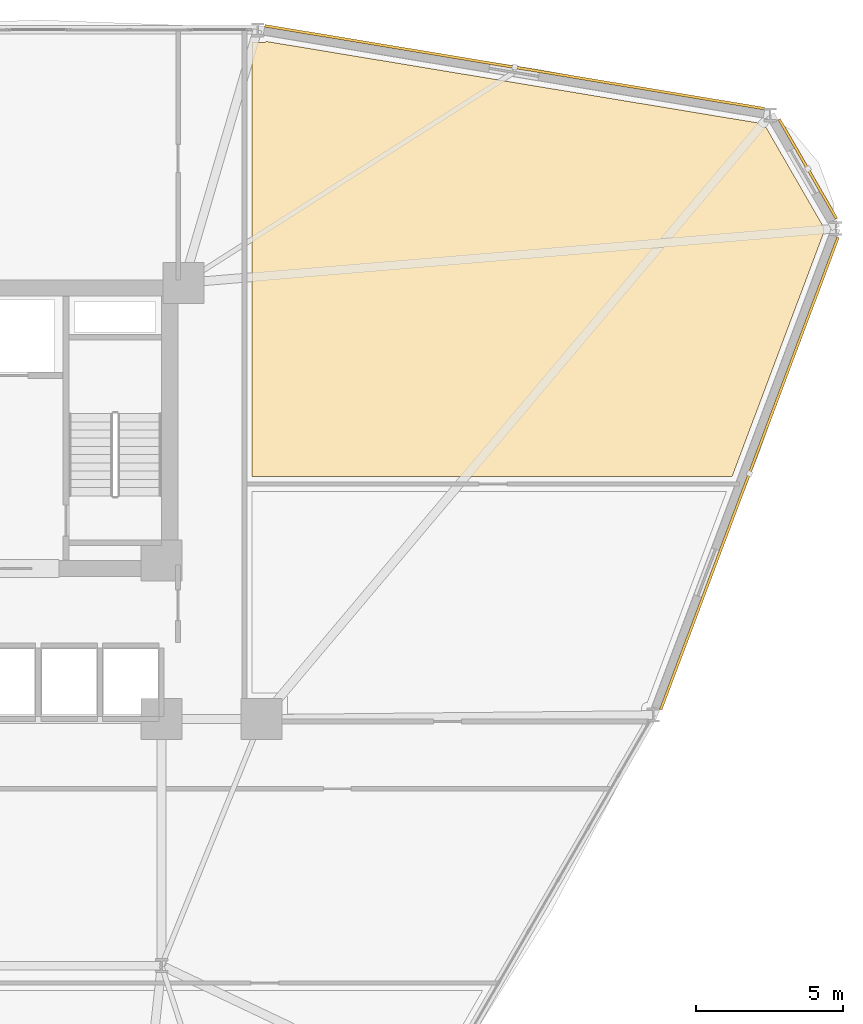
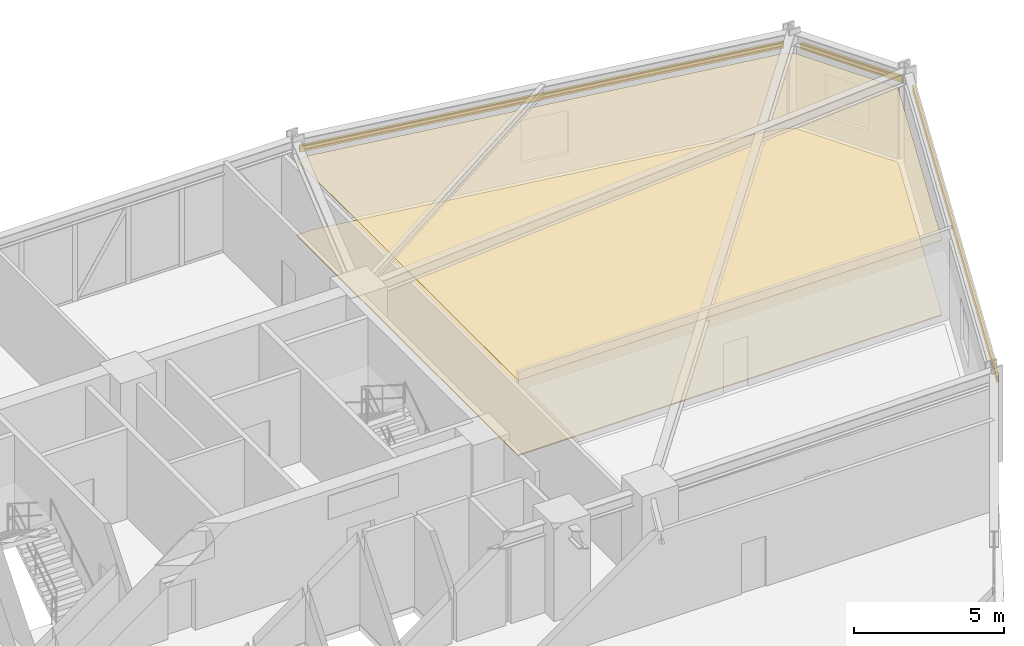
# One storey, part 20 of 20: 3 shading devices, 2 coverings.
"""IFC4 building model written with IfcOpenShell, lengths in metres."""

from ifc_helpers import new_model, si_unit, derived_unit, direction, frame, origin, origin_2d, place, context, subcontext, project, spatial, polyline, hollow_rectangle, outline, extrude, source, transform, mapped, material, layer, layer_set, material_profile, profile_set, type_object, element, save


model = new_model("IFC4")

# Units and contexts
model_context = context("Model", 3, precision=1e-05, world=origin(), true_north=direction((0.0, 1.0)))
body_context = subcontext(model_context, "Body", "Model", "MODEL_VIEW")
ifc_project = project(units=[si_unit("LENGTHUNIT", "METRE"), si_unit("AREAUNIT", "SQUARE_METRE"), si_unit("VOLUMEUNIT", "CUBIC_METRE"), si_unit("PLANEANGLEUNIT", "RADIAN"), si_unit("MASSUNIT", "GRAM", prefix="KILO"), derived_unit("THERMALTRANSMITTANCEUNIT", [(si_unit("POWERUNIT", "WATT"), 1), (si_unit("LENGTHUNIT", "METRE"), -2), (si_unit("THERMODYNAMICTEMPERATUREUNIT", "KELVIN"), -1)])], contexts=[model_context])

# Site, building, storey
site_placement = place(None, origin())
site = spatial("IfcSite", under=ifc_project, at=site_placement, CompositionType="ELEMENT")
building_placement = place(site_placement, origin())
building = spatial("IfcBuilding", under=site, at=building_placement, Name="Korsvarv Bourse and Concert Hall", CompositionType="ELEMENT")
storey_placement = place(building_placement, frame((0.0, 0.0, 75.60009765625)))
storey = spatial("IfcBuildingStorey", under=building, at=storey_placement, Name="L18", CompositionType="ELEMENT", Elevation=75.60009765625)

# Coverings
ifc_material_1 = material(Name="Perforated mineral-wool and birch acoustic baffle ceiling", Category="wood")
ifc_layer_1 = layer(ifc_material_1, 0.02490234375)
ifc_layer_set_1 = layer_set([ifc_layer_1], Name="Perforated mineral-wool and birch acoustic baffle ceiling")
covering_type_1 = type_object("IfcCoveringType", Name="COV-CEIL-1", PredefinedType="CEILING", material=ifc_layer_set_1)
covering_1_placement = place(storey_placement, frame((0.0, 0.0, 3.059814453125)))
element("IfcCovering", 1, at=covering_1_placement, inside=storey, type_object=covering_type_1, Name="L18 acoustic baffle ceiling 1", PredefinedType="CEILING", context=body_context, shape_type="SweptSolid", body=[
    extrude(outline(polyline([(47.876708984375, 55.440673828125), (47.912109375, 55.443603515625), (47.9462890625, 55.453125), (47.97802734375, 55.469482421875), (64.731201171875, 52.693115234375), (64.740478515625, 52.664306640625), (64.758056640625, 52.632568359375), (64.781494140625, 52.60498046875), (64.810302734375, 52.58251953125), (64.8427734375, 52.56640625), (64.8779296875, 52.55712890625), (64.978759765625, 52.55078125), (66.960205078125, 49.118408203125), (66.960205078125, 48.998779296875), (63.824951171875, 40.64990234375), (47.47998046875, 40.64990234375), (47.47998046875, 55.449951171875), (47.876708984375, 55.440673828125)])), origin(), (0.0, 0.0, 1.0), 0.025146484375),
])
ifc_material_2 = material(Name="Calcium-sulphate raised access trading floor with Nordic oak top", Category="wood")
ifc_layer_2 = layer(ifc_material_2, 0.0400390625)
ifc_layer_set_2 = layer_set([ifc_layer_2], Name="Calcium-sulphate raised access trading floor with Nordic oak top")
covering_type_2 = type_object("IfcCoveringType", Name="COV-FLOR-1", PredefinedType="FLOORING", material=ifc_layer_set_2)
covering_2_placement = place(storey_placement, origin())
element("IfcCovering", 2, at=covering_2_placement, inside=storey, type_object=covering_type_2, Name="L18 raised access oak floor finish 1", PredefinedType="FLOORING", context=body_context, shape_type="SweptSolid", body=[
    extrude(outline(polyline([(47.876708984375, 55.440673828125), (47.912109375, 55.443603515625), (47.9462890625, 55.453125), (47.97802734375, 55.469482421875), (64.731201171875, 52.693115234375), (64.740478515625, 52.664306640625), (64.758056640625, 52.632568359375), (64.781494140625, 52.60498046875), (64.810302734375, 52.58251953125), (64.8427734375, 52.56640625), (64.8779296875, 52.55712890625), (64.978759765625, 52.55078125), (66.960205078125, 49.118408203125), (66.960205078125, 48.998779296875), (63.824951171875, 40.64990234375), (47.47998046875, 40.64990234375), (47.47998046875, 55.449951171875), (47.876708984375, 55.440673828125)])), origin(), (0.0, 0.0, 1.0), 0.039794921875),
])

# Shading devices
ifc_material_3 = material(Name="Glazed extruded architectural terracotta", Category="ceramic")
ifc_material_profile = material_profile(ifc_material_3, hollow_rectangle(XDim=0.090087890625, YDim=0.260009765625, WallThickness=0.011962890625, at=origin_2d()), Name="TC-BAG 90x260")
ifc_profile_set = profile_set([ifc_material_profile], Name="Glazed extruded architectural terracotta")
shading_device_type = type_object("IfcShadingDeviceType", Name="SHD-BAG-1", PredefinedType="USERDEFINED", material=ifc_profile_set)
shared_shape_1 = source(origin(), body_context, "Body", "SweptSolid", [
    extrude(hollow_rectangle(XDim=0.090087890625, YDim=0.260009765625, WallThickness=0.011962890625, at=origin_2d()), origin(), (0.0, 0.0, 1.0), 3.90966796875),
])
shading_device_1_placement = place(storey_placement, frame((67.3828125, 49.436767578125, 3.06982421875), z_axis=(-0.500014353419, 0.866017116675, 0.0), x_axis=(-0.866017116675, -0.500014353419, 0.0)))
element("IfcShadingDevice", 3, at=shading_device_1_placement, inside=storey, type_object=shading_device_type, Name="L18 terracotta baguette sunshade EW-L18-B01", ObjectType="BAGUETTE", PredefinedType="USERDEFINED", context=body_context, shape_type="MappedRepresentation", body=[
    mapped(shared_shape_1, transform((0.0, 0.0, 0.0), scale=1.0)),
])
shared_shape_2 = source(origin(), body_context, "Body", "SweptSolid", [
    extrude(hollow_rectangle(XDim=0.090087890625, YDim=0.260009765625, WallThickness=0.011962890625, at=origin_2d()), origin(), (0.0, 0.0, 1.0), 17.258056640625),
])
shading_device_2_placement = place(storey_placement, frame((64.939697265625, 53.1806640625, 3.06982421875), z_axis=(-0.986523610756, 0.163618964122, 0.0), x_axis=(-0.163618964122, -0.986523610756, 0.0)))
element("IfcShadingDevice", 4, at=shading_device_2_placement, inside=storey, type_object=shading_device_type, Name="L18 terracotta baguette sunshade EW-L18-B02", ObjectType="BAGUETTE", PredefinedType="USERDEFINED", context=body_context, shape_type="MappedRepresentation", body=[
    mapped(shared_shape_2, transform((0.0, 0.0, 0.0), scale=1.0)),
])
shared_shape_3 = source(origin(), body_context, "Body", "SweptSolid", [
    extrude(hollow_rectangle(XDim=0.090087890625, YDim=0.260009765625, WallThickness=0.011962890625, at=origin_2d()), origin(), (0.0, 0.0, 1.0), 17.1806640625),
])
shading_device_3_placement = place(storey_placement, frame((61.39501953125, 32.714599609375, 3.06982421875), z_axis=(0.351559441404, 0.936165561832, 0.0), x_axis=(-0.936165561832, 0.351559441404, 0.0)))
element("IfcShadingDevice", 5, at=shading_device_3_placement, inside=storey, type_object=shading_device_type, Name="L18 terracotta baguette sunshade EW-L18-B12", ObjectType="BAGUETTE", PredefinedType="USERDEFINED", context=body_context, shape_type="MappedRepresentation", body=[
    mapped(shared_shape_3, transform((0.0, 0.0, 0.0), scale=1.0)),
])

save(model, "model.ifc")
